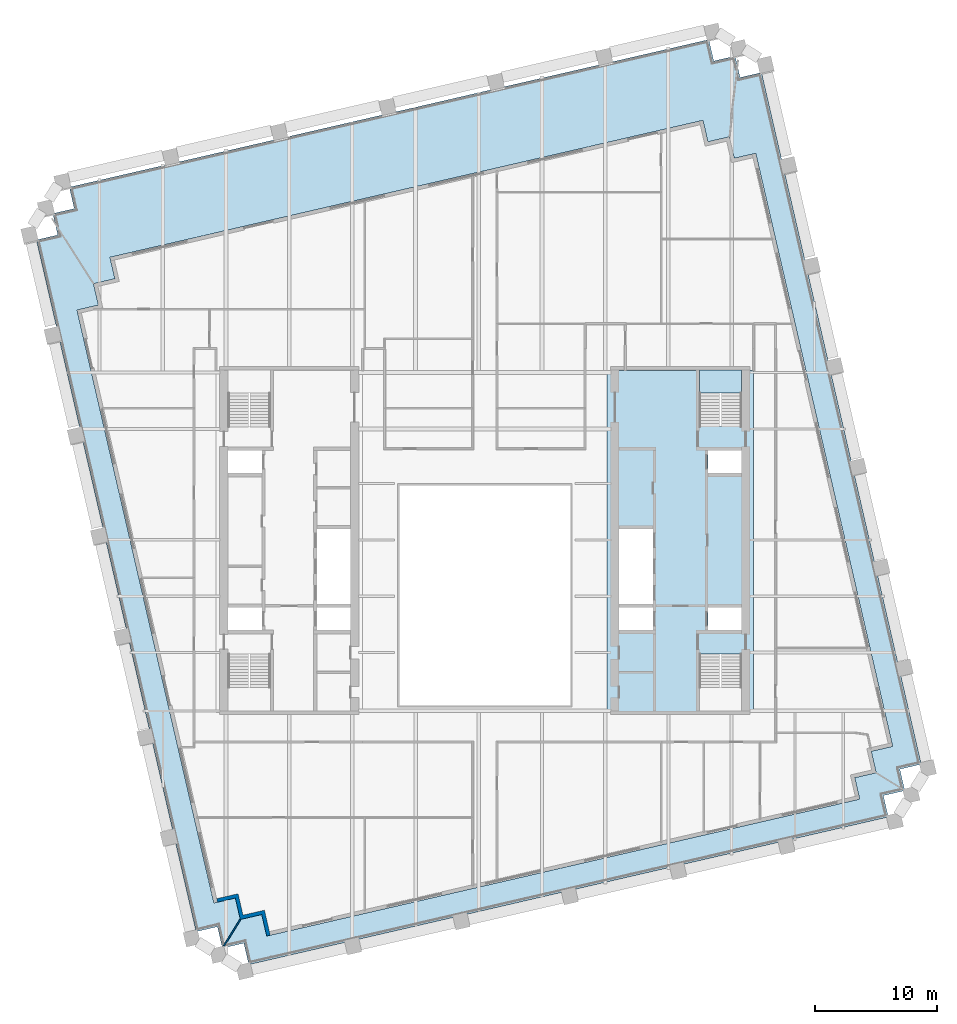
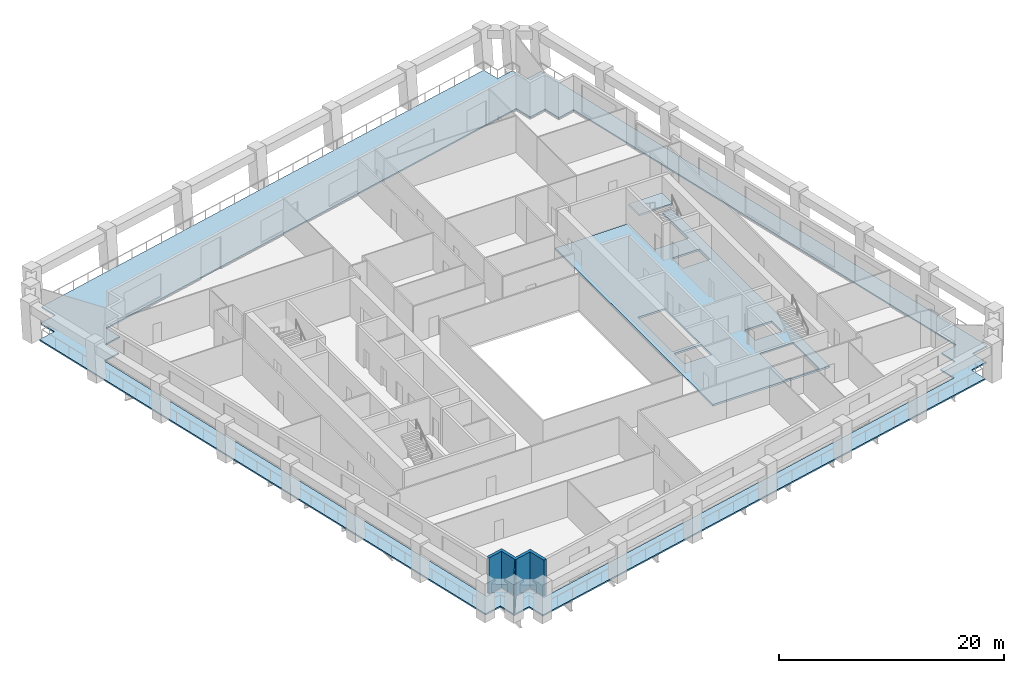
# One storey, part 3 of 11: 3 slabs, 2 walls, 1 element without a shape of its own.
"""IFC4 building model written with IfcOpenShell, lengths in metres."""

from ifc_helpers import new_model, si_unit, direction, frame, frame_2d, origin, place, context, subcontext, project, spatial, polyline, rectangle, outline, extrude, material, layer, layer_set, type_object, element, aggregate, save


model = new_model("IFC4")

# Units and contexts
model_context = context("Model", 3, precision=1e-05, world=origin(), true_north=direction((0.0, 1.0)))
body_context = subcontext(model_context, "Body", "Model", "MODEL_VIEW")
ifc_project = project(units=[si_unit("LENGTHUNIT", "METRE"), si_unit("AREAUNIT", "SQUARE_METRE"), si_unit("VOLUMEUNIT", "CUBIC_METRE"), si_unit("PLANEANGLEUNIT", "RADIAN"), si_unit("MASSUNIT", "GRAM", prefix="KILO")], contexts=[model_context])

# Site, building, storey
site_placement = place(None, origin())
site = spatial("IfcSite", under=ifc_project, at=site_placement, CompositionType="ELEMENT")
building_placement = place(site_placement, origin())
building = spatial("IfcBuilding", under=site, at=building_placement, Name="Ogive Exchange Tower", CompositionType="ELEMENT")
storey_placement = place(building_placement, frame((0.0, 0.0, 217.800048828125)))
storey = spatial("IfcBuildingStorey", under=building, at=storey_placement, Name="L48", CompositionType="ELEMENT", Elevation=217.800048828125)

# Slabs
ifc_material_1 = material(Name="Concrete C70/85", Category="concrete")
ifc_layer_1 = layer(ifc_material_1, 0.199951171875)
ifc_layer_set_1 = layer_set([ifc_layer_1], Name="Core floor slab 200")
slab_type_1 = type_object("IfcSlabType", Name="Core floor slab 200", PredefinedType="FLOOR", material=ifc_layer_set_1)
slab_1_placement = place(storey_placement, frame((0.0, 0.0, -0.199951171875)))
element("IfcSlab", 1, at=slab_1_placement, inside=storey, type_object=slab_type_1, Name="Core floor slab", PredefinedType="FLOOR", context=body_context, shape_type="SweptSolid", body=[
    extrude(outline(polyline([(22.0, 25.39990234375), (22.0, -2.60009765625), (10.0, -2.60009765625), (10.0, 25.39990234375), (17.550048828125, 25.39990234375), (17.550048828125, 20.803955078125), (21.0, 20.803955078125), (21.0, 25.39990234375), (22.0, 25.39990234375)]), holes=[polyline([(21.0, 2.196044921875), (17.550048828125, 2.196044921875), (17.550048828125, -2.449951171875), (21.0, -2.449951171875), (21.0, 2.196044921875)]), polyline([(13.75, 5.992919921875), (11.0, 5.992919921875), (11.0, 4.14990234375), (13.75, 4.14990234375), (13.75, 5.992919921875)]), polyline([(21.0, 5.992919921875), (18.25, 5.992919921875), (18.25, 4.14990234375), (21.0, 4.14990234375), (21.0, 5.992919921875)]), polyline([(11.0, 12.42138671875), (11.0, 6.29296875), (13.75, 6.29296875), (13.75, 12.42138671875), (11.0, 12.42138671875)]), polyline([(21.0, 18.85009765625), (18.25, 18.85009765625), (18.25, 17.007080078125), (21.0, 17.007080078125), (21.0, 18.85009765625)])]), origin(), (0.0, 0.0, 1.0), 0.199951171875),
])
ifc_material_2 = material(Name="Concrete C50/60", Category="concrete")
ifc_layer_2 = layer(ifc_material_2, 0.14990234375)
ifc_layer_set_2 = layer_set([ifc_layer_2], Name="Loggia deck 150")
slab_type_2 = type_object("IfcSlabType", Name="Loggia deck 150", PredefinedType="FLOOR", material=ifc_layer_set_2)
slab_2_placement = place(storey_placement, frame((0.0, 0.0, -0.199951171875)))
element("IfcSlab", 2, at=slab_2_placement, inside=storey, type_object=slab_type_2, Name="Loggia deck", PredefinedType="FLOOR", context=body_context, shape_type="SweptSolid", body=[
    extrude(outline(polyline([(-19.717041015625, -21.45556640625), (-21.470947265625, -21.860595703125), (-21.875732421875, -20.106689453125), (-23.629638671875, -20.51171875), (-36.6962890625, 36.086181640625), (-34.9423828125, 36.4912109375), (-35.347412109375, 38.2451171875), (-33.593505859375, 38.64990234375), (-33.998291015625, 40.40380859375), (18.3251953125, 52.483642578125), (18.730224609375, 50.729736328125), (20.484130859375, 51.134765625), (20.888916015625, 49.380859375), (22.642822265625, 49.78564453125), (35.70947265625, -6.81201171875), (33.95556640625, -7.217041015625), (34.360595703125, -8.970947265625), (32.606689453125, -9.375732421875), (33.01171875, -11.129638671875), (-19.31201171875, -23.20947265625), (-19.717041015625, -21.45556640625)]), holes=[polyline([(30.26806640625, -7.914306640625), (32.02197265625, -7.509521484375), (31.616943359375, -5.755615234375), (33.370849609375, -5.3505859375), (22.168212890625, 43.1728515625), (20.414306640625, 42.76806640625), (20.009521484375, 44.52197265625), (18.255615234375, 44.116943359375), (17.8505859375, 45.870849609375), (-30.6728515625, 34.668212890625), (-30.26806640625, 32.914306640625), (-32.02197265625, 32.509521484375), (-31.616943359375, 30.755615234375), (-33.370849609375, 30.3505859375), (-22.168212890625, -18.1728515625), (-20.414306640625, -17.76806640625), (-20.009521484375, -19.52197265625), (-18.255615234375, -19.116943359375), (-17.8505859375, -20.870849609375), (30.6728515625, -9.668212890625), (30.26806640625, -7.914306640625)])]), origin(), (0.0, 0.0, 1.0), 0.14990234375),
])

# Stair, slab
ifc_material_3 = material(Name="Concrete C40/50", Category="concrete")
stair_type = type_object("IfcStairType", Name="Exit stair 1650 wide", PredefinedType="HALF_TURN_STAIR", material=ifc_material_3)
stair_placement = place(storey_placement, origin())
stair = element("IfcStair", 3, at=stair_placement, inside=storey, type_object=stair_type, Name="L48 exit stair ST4", PredefinedType="HALF_TURN_STAIR")
ifc_layer_3 = layer(ifc_material_3, 0.199951171875)
ifc_layer_set_3 = layer_set([ifc_layer_3], Name="Stair landing 200 slab")
slab_type_3 = type_object("IfcSlabType", Name="Stair landing 200 slab", PredefinedType="LANDING", material=ifc_layer_set_3)
slab_3_placement = place(storey_placement, frame((0.0, 0.0, 1.89990234375)))
slab_3 = element("IfcSlab", 4, at=slab_3_placement, type_object=slab_type_3, Name="ST4 landing 1", PredefinedType="LANDING", context=body_context, shape_type="SweptSolid", body=[
    extrude(outline(polyline([(21.0, 23.550048828125), (21.0, 25.449951171875), (17.550048828125, 25.449951171875), (17.550048828125, 23.550048828125), (21.0, 23.550048828125)])), origin(), (0.0, 0.0, 1.0), 0.199951171875),
])
aggregate(stair, [slab_3])

# Walls
ifc_material_4 = material(Name="Precast concrete C40/50", Category="concrete")
ifc_layer_4 = layer(ifc_material_4, 0.300048828125)
ifc_layer_set_4 = layer_set([ifc_layer_4], Name="Limestone-faced wall 300")
wall_type_1 = type_object("IfcWallType", Name="Limestone-faced wall 300", PredefinedType="STANDARD", material=ifc_layer_set_4)
wall_1_placement = place(storey_placement, origin())
element("IfcWall", 5, at=wall_1_placement, inside=storey, type_object=wall_type_1, Name="External corner wall C4", PredefinedType="STANDARD", context=body_context, shape_type="SweptSolid", body=[
    extrude(outline(polyline([(-18.255615234375, -19.116943359375), (-20.009521484375, -19.52197265625), (-20.414306640625, -17.76806640625), (-21.8759765625, -18.10546875), (-21.943359375, -17.81298828125), (-20.189697265625, -17.408203125), (-19.78466796875, -19.162109375), (-18.03076171875, -18.757080078125), (-17.558349609375, -20.80322265625), (-17.8505859375, -20.870849609375), (-18.255615234375, -19.116943359375)])), origin(), (0.0, 0.0, 1.0), 3.949951171875),
])
ifc_material_5 = material(Name="Laminated safety glass in steel frame", Category="steel")
ifc_layer_5 = layer(ifc_material_5, 0.10009765625)
ifc_layer_set_5 = layer_set([ifc_layer_5], Name="Loggia end screen 100")
wall_type_2 = type_object("IfcWallType", Name="Loggia end screen 100", PredefinedType="STANDARD", material=ifc_layer_set_5)
wall_2_placement = place(storey_placement, frame((-20.009521484375, -19.52197265625, -0.050048828125), z_axis=(0.0, 0.0, 1.0), x_axis=(-0.529920736377, -0.848047176257, 0.0)))
element("IfcWall", 6, at=wall_2_placement, inside=storey, type_object=wall_type_2, Name="Loggia end screen C4", PredefinedType="STANDARD", context=body_context, shape_type="SweptSolid", body=[
    extrude(rectangle(XDim=2.525634765625, YDim=0.10009765625, at=frame_2d((1.2626953125, 0.0))), origin(), (0.0, 0.0, 1.0), 4.0),
])

save(model, "model.ifc")
